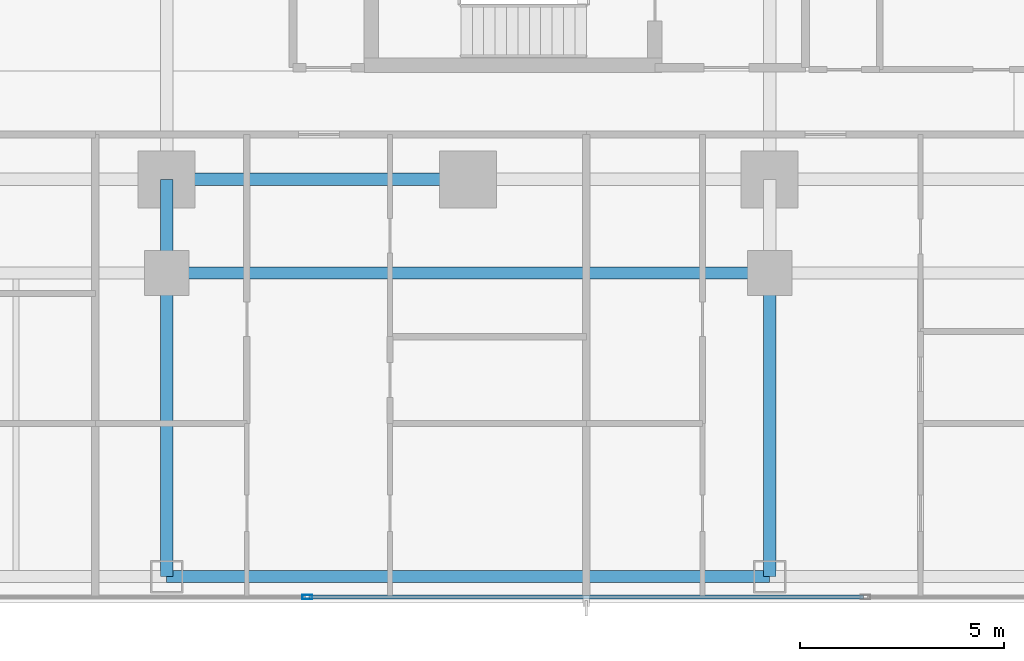
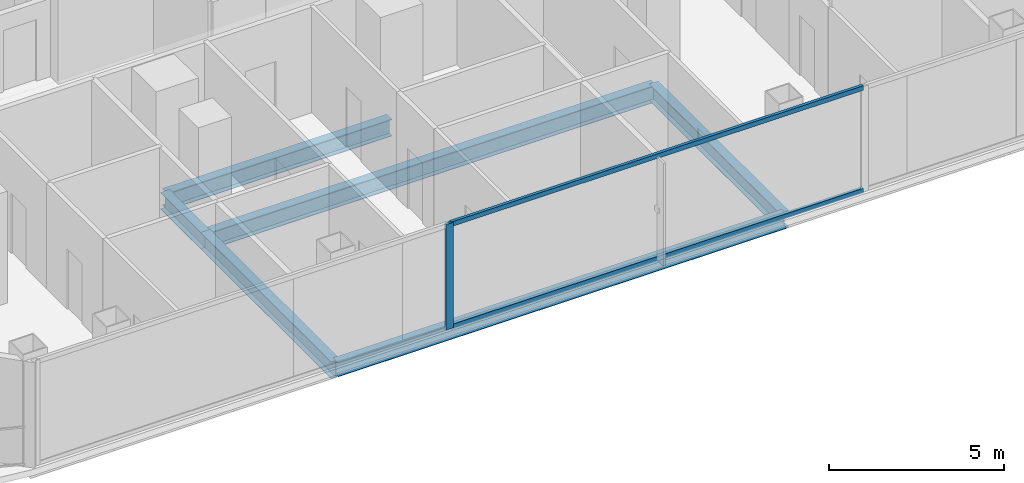
# One storey, part 4 of 30: 6 beams, 3 members, 1 element without a shape of its own.
"""IFC4 building model written with IfcOpenShell, lengths in metres."""

from ifc_helpers import new_model, si_unit, direction, frame, origin, origin_2d, place, context, subcontext, project, spatial, hollow_rectangle, i_section, extrude, material, layer, layer_set, material_profile, profile_set, type_object, element, aggregate, save


model = new_model("IFC4")

# Units and contexts
model_context = context("Model", 3, precision=1e-05, world=origin(), true_north=direction((0.0, 1.0)))
body_context = subcontext(model_context, "Body", "Model", "MODEL_VIEW")
ifc_project = project(units=[si_unit("LENGTHUNIT", "METRE"), si_unit("AREAUNIT", "SQUARE_METRE"), si_unit("VOLUMEUNIT", "CUBIC_METRE"), si_unit("PLANEANGLEUNIT", "RADIAN"), si_unit("MASSUNIT", "GRAM", prefix="KILO")], contexts=[model_context])

# Site, building, storey
site_placement = place(None, origin())
site = spatial("IfcSite", under=ifc_project, at=site_placement, CompositionType="ELEMENT")
building_placement = place(site_placement, origin())
building = spatial("IfcBuilding", under=site, at=building_placement, Name="Khorvyn Point Tower", CompositionType="ELEMENT")
storey_placement = place(building_placement, frame((0.0, 0.0, 30.60009765625)))
storey = spatial("IfcBuildingStorey", under=building, at=storey_placement, Name="L08", CompositionType="ELEMENT", Elevation=30.60009765625)

# Curtain wall, members
ifc_material_1 = material(Name="Anodised aluminium 6063-T6 and laminated Low-E glass", Category="aluminium")
ifc_layer = layer(ifc_material_1, 0.18994140625)
ifc_layer_set = layer_set([ifc_layer], Name="Stick-Built Finned Residential Curtain Wall CW-SYS-02")
curtain_wall_type = type_object("IfcCurtainWallType", Name="Stick-Built Finned Residential Curtain Wall CW-SYS-02", PredefinedType="NOTDEFINED", material=ifc_layer_set)
curtain_wall_placement = place(storey_placement, origin())
curtain_wall = element("IfcCurtainWall", 1, at=curtain_wall_placement, inside=storey, type_object=curtain_wall_type, Name="Curtain Wall", PredefinedType="NOTDEFINED")
ifc_material_2 = material(Name="Anodised aluminium 6063-T6", Category="aluminium")
ifc_material_profile_1 = material_profile(ifc_material_2, hollow_rectangle(XDim=0.10009765625, YDim=0.239990234375, WallThickness=0.0048828125, at=origin_2d()))
ifc_profile_set_1 = profile_set([ifc_material_profile_1], Name="Anodised aluminium 6063-T6 ALU-MUL-100x240")
member_type_1 = type_object("IfcMemberType", Name="Anodised Aluminium 6063-T6 Mullion ALU-MUL-100x240", PredefinedType="MULLION", material=ifc_profile_set_1)
member_1_placement = place(storey_placement, frame((-3.949951171875, -25.050048828125, 0.0), z_axis=(0.0, 0.0, 1.0), x_axis=(0.0, -1.0, 0.0)))
member_1 = element("IfcMember", 2, at=member_1_placement, type_object=member_type_1, Name="Transom", PredefinedType="MULLION", context=body_context, shape_type="SweptSolid", body=[
    extrude(hollow_rectangle(XDim=0.10009765625, YDim=0.239990234375, WallThickness=0.0048828125, at=origin_2d()), origin(), (0.0, 0.0, 1.0), 3.679931640625),
])
ifc_material_profile_2 = material_profile(ifc_material_2, hollow_rectangle(XDim=0.10009765625, YDim=0.159912109375, WallThickness=0.00439453125, at=origin_2d()))
ifc_profile_set_2 = profile_set([ifc_material_profile_2], Name="Anodised aluminium 6063-T6 ALU-TRN-100x160")
member_type_2 = type_object("IfcMemberType", Name="Anodised Aluminium 6063-T6 Transom ALU-TRN-100x160", PredefinedType="USERDEFINED", material=ifc_profile_set_2)
member_2_placement = place(storey_placement, frame((9.699951171875, -25.050048828125, 0.0498046875), z_axis=(-1.0, 0.0, 0.0), x_axis=(0.0, -1.0, 0.0)))
member_2 = element("IfcMember", 3, at=member_2_placement, type_object=member_type_2, Name="Transom", ObjectType="TRANSOM", PredefinedType="USERDEFINED", context=body_context, shape_type="SweptSolid", body=[
    extrude(hollow_rectangle(XDim=0.10009765625, YDim=0.159912109375, WallThickness=0.00439453125, at=origin_2d()), origin(), (0.0, 0.0, 1.0), 13.599853515625),
])
member_3_placement = place(storey_placement, frame((9.699951171875, -25.050048828125, 3.6298828125), z_axis=(-1.0, 0.0, 0.0), x_axis=(0.0, -1.0, 0.0)))
member_3 = element("IfcMember", 4, at=member_3_placement, type_object=member_type_2, Name="Transom", ObjectType="TRANSOM", PredefinedType="USERDEFINED", context=body_context, shape_type="SweptSolid", body=[
    extrude(hollow_rectangle(XDim=0.10009765625, YDim=0.159912109375, WallThickness=0.00439453125, at=origin_2d()), origin(), (0.0, 0.0, 1.0), 13.599853515625),
])
aggregate(curtain_wall, [member_1, member_2, member_3])

# Beams
ifc_material_3 = material(Name="Steel S355", Category="steel")
ifc_material_profile_3 = material_profile(ifc_material_3, i_section(OverallWidth=0.300048828125, OverallDepth=0.587890625, WebThickness=0.011962890625, FlangeThickness=0.02001953125, at=origin_2d()))
ifc_profile_set_3 = profile_set([ifc_material_profile_3], Name="Steel S355 H588x300x12x20")
beam_type_1 = type_object("IfcBeamType", Name="Steel S355 Beam H588x300x12x20", PredefinedType="BEAM", material=ifc_profile_set_3)
beam_1_placement = place(storey_placement, frame((-7.39990234375, -14.800048828125, -0.51416015625), z_axis=(1.0, 0.0, 0.0), x_axis=(0.0, 1.0, 0.0)))
element("IfcBeam", 5, at=beam_1_placement, inside=storey, type_object=beam_type_1, Name="Beam", PredefinedType="BEAM", context=body_context, shape_type="SweptSolid", body=[
    extrude(i_section(OverallWidth=0.300048828125, OverallDepth=0.587890625, WebThickness=0.011962890625, FlangeThickness=0.02001953125, at=origin_2d()), origin(), (0.0, 0.0, 1.0), 7.39990234375),
])
beam_2_placement = place(storey_placement, frame((-7.39990234375, -17.10009765625, -0.51416015625), z_axis=(1.0, 0.0, 0.0), x_axis=(0.0, 1.0, 0.0)))
element("IfcBeam", 6, at=beam_2_placement, inside=storey, type_object=beam_type_1, Name="Beam", PredefinedType="BEAM", context=body_context, shape_type="SweptSolid", body=[
    extrude(i_section(OverallWidth=0.300048828125, OverallDepth=0.587890625, WebThickness=0.011962890625, FlangeThickness=0.02001953125, at=origin_2d()), origin(), (0.0, 0.0, 1.0), 14.7998046875),
])
beam_3_placement = place(storey_placement, frame((-7.39990234375, -24.550048828125, -0.51416015625), z_axis=(0.0, 1.0, 0.0), x_axis=(-1.0, 0.0, 0.0)))
element("IfcBeam", 7, at=beam_3_placement, inside=storey, type_object=beam_type_1, Name="Beam", PredefinedType="BEAM", context=body_context, shape_type="SweptSolid", body=[
    extrude(i_section(OverallWidth=0.300048828125, OverallDepth=0.587890625, WebThickness=0.011962890625, FlangeThickness=0.02001953125, at=origin_2d()), origin(), (0.0, 0.0, 1.0), 7.449951171875),
])
beam_4_placement = place(storey_placement, frame((-7.39990234375, -17.10009765625, -0.51416015625), z_axis=(0.0, 1.0, 0.0), x_axis=(-1.0, 0.0, 0.0)))
element("IfcBeam", 8, at=beam_4_placement, inside=storey, type_object=beam_type_1, Name="Beam", PredefinedType="BEAM", context=body_context, shape_type="SweptSolid", body=[
    extrude(i_section(OverallWidth=0.300048828125, OverallDepth=0.587890625, WebThickness=0.011962890625, FlangeThickness=0.02001953125, at=origin_2d()), origin(), (0.0, 0.0, 1.0), 2.300048828125),
])
beam_5_placement = place(storey_placement, frame((7.39990234375, -24.550048828125, -0.51416015625), z_axis=(0.0, 1.0, 0.0), x_axis=(-1.0, 0.0, 0.0)))
element("IfcBeam", 9, at=beam_5_placement, inside=storey, type_object=beam_type_1, Name="Beam", PredefinedType="BEAM", context=body_context, shape_type="SweptSolid", body=[
    extrude(i_section(OverallWidth=0.300048828125, OverallDepth=0.587890625, WebThickness=0.011962890625, FlangeThickness=0.02001953125, at=origin_2d()), origin(), (0.0, 0.0, 1.0), 7.449951171875),
])
ifc_material_profile_4 = material_profile(ifc_material_3, i_section(OverallWidth=0.300048828125, OverallDepth=0.488037109375, WebThickness=0.010986328125, FlangeThickness=0.01806640625, at=origin_2d()))
ifc_profile_set_4 = profile_set([ifc_material_profile_4], Name="Steel S355 H488x300x11x18")
beam_type_2 = type_object("IfcBeamType", Name="Steel S355 Spandrel H488x300x11x18", PredefinedType="SPANDREL", material=ifc_profile_set_4)
beam_6_placement = place(storey_placement, frame((-7.39990234375, -24.550048828125, -0.464111328125), z_axis=(1.0, 0.0, 0.0), x_axis=(0.0, 1.0, 0.0)))
element("IfcBeam", 10, at=beam_6_placement, inside=storey, type_object=beam_type_2, Name="Beam", PredefinedType="SPANDREL", context=body_context, shape_type="SweptSolid", body=[
    extrude(i_section(OverallWidth=0.300048828125, OverallDepth=0.488037109375, WebThickness=0.010986328125, FlangeThickness=0.01806640625, at=origin_2d()), origin(), (0.0, 0.0, 1.0), 14.7998046875),
])

save(model, "model.ifc")
